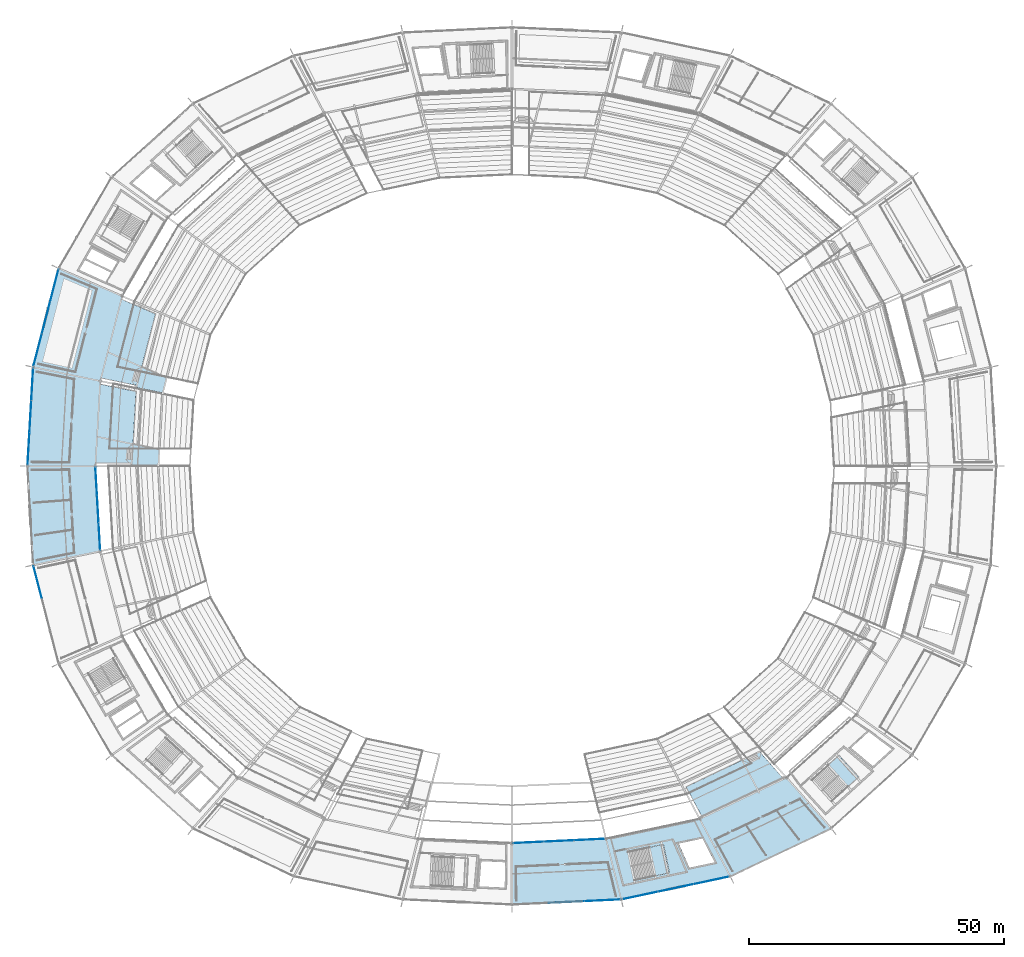
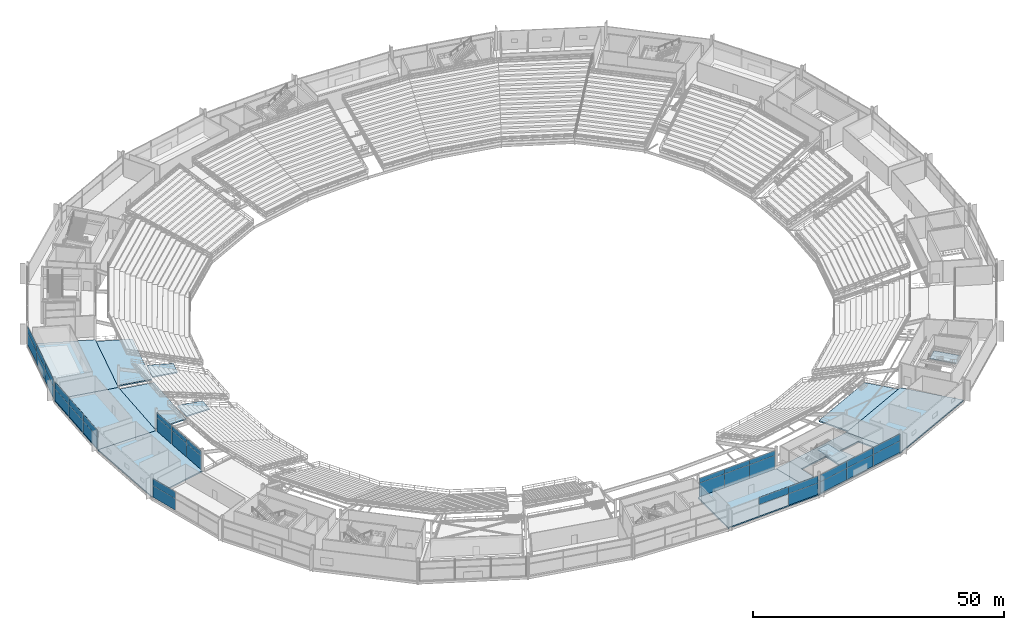
# One storey, part 121 of 186: 35 plates, 13 slabs, 9 elements without a shape of their own.
"""IFC4 building model written with IfcOpenShell, lengths in metres."""

from ifc_helpers import new_model, si_unit, direction, frame, origin, origin_2d, place, context, subcontext, project, spatial, polyline, rectangle, outline, extrude, material, layer, layer_set, type_object, element, aggregate, save


model = new_model("IFC4")

# Units and contexts
model_context = context("Model", 3, precision=1e-05, world=origin(), true_north=direction((0.0, 1.0)))
body_context = subcontext(model_context, "Body", "Model", "MODEL_VIEW")
ifc_project = project(units=[si_unit("LENGTHUNIT", "METRE"), si_unit("AREAUNIT", "SQUARE_METRE"), si_unit("VOLUMEUNIT", "CUBIC_METRE"), si_unit("PLANEANGLEUNIT", "RADIAN"), si_unit("MASSUNIT", "GRAM", prefix="KILO")], contexts=[model_context])

# Site, building, storey
site_placement = place(None, origin())
site = spatial("IfcSite", under=ifc_project, at=site_placement, CompositionType="ELEMENT")
building_placement = place(site_placement, origin())
building = spatial("IfcBuilding", under=site, at=building_placement, Name="Kazemori Nagisa Stadium", CompositionType="ELEMENT")
storey_placement = place(building_placement, frame((0.0, 0.0, 20.39990234375)))
storey = spatial("IfcBuildingStorey", under=building, at=storey_placement, Name="L04", CompositionType="ELEMENT", Elevation=20.39990234375)

# Curtain wall, plates
ifc_material_1 = material(Name="Anodised aluminium 6063-T5", Category="aluminium")
ifc_layer_1 = layer(ifc_material_1, 0.179931640625, Name="Anodised aluminium 6063-T5", Category="aluminium")
ifc_layer_set_1 = layer_set([ifc_layer_1], Name="Anodised aluminium 6063-T5")
curtain_wall_type_1 = type_object("IfcCurtainWallType", Name="CW_L04B_81", PredefinedType="USERDEFINED", material=ifc_layer_set_1)
curtain_wall_1_placement = place(storey_placement, origin())
curtain_wall_1 = element("IfcCurtainWall", 1, at=curtain_wall_1_placement, inside=storey, type_object=curtain_wall_type_1, Name="Unitised curtain wall CW-L04B-81 L04", ObjectType="UNITISED CURTAIN WALL", PredefinedType="USERDEFINED")
ifc_material_2 = material(Name="Anodised aluminium spandrel sheet", Category="aluminium")
ifc_layer_2 = layer(ifc_material_2, 0.0439453125, Name="Anodised aluminium spandrel sheet", Category="aluminium")
ifc_layer_set_2 = layer_set([ifc_layer_2], Name="Anodised aluminium spandrel sheet")
plate_type_1 = type_object("IfcPlateType", Name="CWPanel_SPN_L04B_81", PredefinedType="CURTAIN_PANEL", material=ifc_layer_set_2)
plate_1_placement = place(storey_placement, frame((41.4716796875, 99.0234375, 3.352294921875), z_axis=(0.0, 0.0, 1.0), x_axis=(0.057601670941, -0.998339645364, 0.0)))
plate_1 = element("IfcPlate", 2, at=plate_1_placement, type_object=plate_type_1, Name="Curtain wall spandrel panel CW-L04B-81-S1", PredefinedType="CURTAIN_PANEL", context=body_context, shape_type="SweptSolid", body=[
    extrude(rectangle(XDim=5.349365234375, YDim=0.0439453125, at=origin_2d()), origin(), (0.0, 0.0, 1.0), 1.177734375),
])
plate_2_placement = place(storey_placement, frame((41.78125, 93.658935546875, 3.352294921875), z_axis=(0.0, 0.0, 1.0), x_axis=(0.057601670941, -0.998339645364, 0.0)))
plate_2 = element("IfcPlate", 3, at=plate_2_placement, type_object=plate_type_1, Name="Curtain wall spandrel panel CW-L04B-81-S2", PredefinedType="CURTAIN_PANEL", context=body_context, shape_type="SweptSolid", body=[
    extrude(rectangle(XDim=5.349365234375, YDim=0.0439453125, at=origin_2d()), origin(), (0.0, 0.0, 1.0), 1.177734375),
])
plate_3_placement = place(storey_placement, frame((42.0908203125, 88.294677734375, 3.352294921875), z_axis=(0.0, 0.0, 1.0), x_axis=(0.057601670941, -0.998339645364, 0.0)))
plate_3 = element("IfcPlate", 4, at=plate_3_placement, type_object=plate_type_1, Name="Curtain wall spandrel panel CW-L04B-81-S3", PredefinedType="CURTAIN_PANEL", context=body_context, shape_type="SweptSolid", body=[
    extrude(rectangle(XDim=5.349365234375, YDim=0.0439453125, at=origin_2d()), origin(), (0.0, 0.0, 1.0), 1.177734375),
])

ifc_layer_3 = layer(ifc_material_1, 0.179931640625, Name="Anodised aluminium 6063-T5", Category="aluminium")
ifc_layer_set_3 = layer_set([ifc_layer_3], Name="Anodised aluminium 6063-T5")
curtain_wall_type_2 = type_object("IfcCurtainWallType", Name="CW_L04B_90", PredefinedType="USERDEFINED", material=ifc_layer_set_3)
curtain_wall_2_placement = place(storey_placement, origin())
curtain_wall_2 = element("IfcCurtainWall", 5, at=curtain_wall_2_placement, inside=storey, type_object=curtain_wall_type_2, Name="Unitised curtain wall CW-L04B-90 L04", ObjectType="UNITISED CURTAIN WALL", PredefinedType="USERDEFINED")
ifc_layer_4 = layer(ifc_material_2, 0.0439453125, Name="Anodised aluminium spandrel sheet", Category="aluminium")
ifc_layer_set_4 = layer_set([ifc_layer_4], Name="Anodised aluminium spandrel sheet")
plate_type_2 = type_object("IfcPlateType", Name="CWPanel_SPN_L04B_90", PredefinedType="CURTAIN_PANEL", material=ifc_layer_set_4)
plate_4_placement = place(storey_placement, frame((126.267822265625, 28.194580078125, 3.352294921875), z_axis=(0.0, 0.0, 1.0), x_axis=(0.998884022476, 0.047230388971, 0.0)))
plate_4 = element("IfcPlate", 6, at=plate_4_placement, type_object=plate_type_2, Name="Curtain wall spandrel panel CW-L04B-90-S1", PredefinedType="CURTAIN_PANEL", context=body_context, shape_type="SweptSolid", body=[
    extrude(rectangle(XDim=5.9287109375, YDim=0.0439453125, at=origin_2d()), origin(), (0.0, 0.0, 1.0), 1.177734375),
])
plate_5_placement = place(storey_placement, frame((132.2138671875, 28.4755859375, 3.352294921875), z_axis=(0.0, 0.0, 1.0), x_axis=(0.998884022476, 0.047230388971, 0.0)))
plate_5 = element("IfcPlate", 7, at=plate_5_placement, type_object=plate_type_2, Name="Curtain wall spandrel panel CW-L04B-90-S2", PredefinedType="CURTAIN_PANEL", context=body_context, shape_type="SweptSolid", body=[
    extrude(rectangle(XDim=5.9287109375, YDim=0.0439453125, at=origin_2d()), origin(), (0.0, 0.0, 1.0), 1.177734375),
])
plate_6_placement = place(storey_placement, frame((138.16015625, 28.7568359375, 3.352294921875), z_axis=(0.0, 0.0, 1.0), x_axis=(0.998884022476, 0.047230388971, 0.0)))
plate_6 = element("IfcPlate", 8, at=plate_6_placement, type_object=plate_type_2, Name="Curtain wall spandrel panel CW-L04B-90-S3", PredefinedType="CURTAIN_PANEL", context=body_context, shape_type="SweptSolid", body=[
    extrude(rectangle(XDim=5.9287109375, YDim=0.0439453125, at=origin_2d()), origin(), (0.0, 0.0, 1.0), 1.177734375),
])

ifc_layer_5 = layer(ifc_material_1, 0.179931640625, Name="Anodised aluminium 6063-T5", Category="aluminium")
ifc_layer_set_5 = layer_set([ifc_layer_5], Name="Anodised aluminium 6063-T5")
curtain_wall_type_3 = type_object("IfcCurtainWallType", Name="CW_L04R3_105", PredefinedType="USERDEFINED", material=ifc_layer_set_5)
curtain_wall_3_placement = place(storey_placement, origin())
curtain_wall_3 = element("IfcCurtainWall", 9, at=curtain_wall_3_placement, inside=storey, type_object=curtain_wall_type_3, Name="Unitised curtain wall CW-L04R3-105 L04", ObjectType="UNITISED CURTAIN WALL", PredefinedType="USERDEFINED")
ifc_layer_6 = layer(ifc_material_2, 0.0458984375, Name="Anodised aluminium spandrel sheet", Category="aluminium")
ifc_layer_set_6 = layer_set([ifc_layer_6], Name="Anodised aluminium spandrel sheet")
plate_type_3 = type_object("IfcPlateType", Name="CWPanel_SPN_L04R3_105", PredefinedType="CURTAIN_PANEL", material=ifc_layer_set_6)
plate_7_placement = place(storey_placement, frame((133.7138671875, 16.506591796875, 2.80859375), z_axis=(0.0, 0.0, 1.0), x_axis=(0.998884022476, 0.047230388971, 0.0)))
plate_7 = element("IfcPlate", 10, at=plate_7_placement, type_object=plate_type_3, Name="Curtain wall spandrel panel CW-L04R3-105-S2", PredefinedType="CURTAIN_PANEL", context=body_context, shape_type="SweptSolid", body=[
    extrude(rectangle(XDim=6.956787109375, YDim=0.0458984375, at=origin_2d()), origin(), (0.0, 0.0, 1.0), 1.721435546875),
])
plate_8_placement = place(storey_placement, frame((140.6865234375, 16.836181640625, 2.80859375), z_axis=(0.0, 0.0, 1.0), x_axis=(0.998884022476, 0.047230388971, 0.0)))
plate_8 = element("IfcPlate", 11, at=plate_8_placement, type_object=plate_type_3, Name="Curtain wall spandrel panel CW-L04R3-105-S3", PredefinedType="CURTAIN_PANEL", context=body_context, shape_type="SweptSolid", body=[
    extrude(rectangle(XDim=6.956787109375, YDim=0.0458984375, at=origin_2d()), origin(), (0.0, 0.0, 1.0), 1.721435546875),
])

ifc_layer_7 = layer(ifc_material_1, 0.179931640625, Name="Anodised aluminium 6063-T5", Category="aluminium")
ifc_layer_set_7 = layer_set([ifc_layer_7], Name="Anodised aluminium 6063-T5")
curtain_wall_type_4 = type_object("IfcCurtainWallType", Name="CW_L04R3_107", PredefinedType="USERDEFINED", material=ifc_layer_set_7)
curtain_wall_4_placement = place(storey_placement, origin())
curtain_wall_4 = element("IfcCurtainWall", 12, at=curtain_wall_4_placement, inside=storey, type_object=curtain_wall_type_4, Name="Unitised curtain wall CW-L04R3-107 L04", ObjectType="UNITISED CURTAIN WALL", PredefinedType="USERDEFINED")
ifc_layer_8 = layer(ifc_material_2, 0.0458984375, Name="Anodised aluminium spandrel sheet", Category="aluminium")
ifc_layer_set_8 = layer_set([ifc_layer_8], Name="Anodised aluminium spandrel sheet")
plate_type_4 = type_object("IfcPlateType", Name="CWPanel_SPN_L04R3_107", PredefinedType="CURTAIN_PANEL", material=ifc_layer_set_8)
plate_9_placement = place(storey_placement, frame((148.15673828125, 17.802001953125, 2.80859375), z_axis=(0.0, 0.0, 1.0), x_axis=(0.978344955407, 0.206981033502, 0.0)))
plate_9 = element("IfcPlate", 13, at=plate_9_placement, type_object=plate_type_4, Name="Curtain wall spandrel panel CW-L04R3-107-S1", PredefinedType="CURTAIN_PANEL", context=body_context, shape_type="SweptSolid", body=[
    extrude(rectangle(XDim=7.08935546875, YDim=0.0458984375, at=origin_2d()), origin(), (0.0, 0.0, 1.0), 1.721435546875),
])
plate_10_placement = place(storey_placement, frame((155.1162109375, 19.2744140625, 2.80859375), z_axis=(0.0, 0.0, 1.0), x_axis=(0.978344955407, 0.206981033502, 0.0)))
plate_10 = element("IfcPlate", 14, at=plate_10_placement, type_object=plate_type_4, Name="Curtain wall spandrel panel CW-L04R3-107-S2", PredefinedType="CURTAIN_PANEL", context=body_context, shape_type="SweptSolid", body=[
    extrude(rectangle(XDim=7.08935546875, YDim=0.0458984375, at=origin_2d()), origin(), (0.0, 0.0, 1.0), 1.721435546875),
])
plate_11_placement = place(storey_placement, frame((162.07568359375, 20.746826171875, 2.80859375), z_axis=(0.0, 0.0, 1.0), x_axis=(0.978344955407, 0.206981033502, 0.0)))
plate_11 = element("IfcPlate", 15, at=plate_11_placement, type_object=plate_type_4, Name="Curtain wall spandrel panel CW-L04R3-107-S3", PredefinedType="CURTAIN_PANEL", context=body_context, shape_type="SweptSolid", body=[
    extrude(rectangle(XDim=7.08935546875, YDim=0.0458984375, at=origin_2d()), origin(), (0.0, 0.0, 1.0), 1.721435546875),
])

ifc_layer_9 = layer(ifc_material_1, 0.179931640625, Name="Anodised aluminium 6063-T5", Category="aluminium")
ifc_layer_set_9 = layer_set([ifc_layer_9], Name="Anodised aluminium 6063-T5")
curtain_wall_type_5 = type_object("IfcCurtainWallType", Name="CW_L04R3_95", PredefinedType="USERDEFINED", material=ifc_layer_set_9)
curtain_wall_5_placement = place(storey_placement, origin())
curtain_wall_5 = element("IfcCurtainWall", 16, at=curtain_wall_5_placement, inside=storey, type_object=curtain_wall_type_5, Name="Unitised curtain wall CW-L04R3-95 L04", ObjectType="UNITISED CURTAIN WALL", PredefinedType="USERDEFINED")
ifc_layer_10 = layer(ifc_material_2, 0.0458984375, Name="Anodised aluminium spandrel sheet", Category="aluminium")
ifc_layer_set_10 = layer_set([ifc_layer_10], Name="Anodised aluminium spandrel sheet")
plate_type_5 = type_object("IfcPlateType", Name="CWPanel_SPN_L04R3_95", PredefinedType="CURTAIN_PANEL", material=ifc_layer_set_10)
plate_12_placement = place(storey_placement, frame((28.9228515625, 117.9951171875, 2.80859375), z_axis=(0.0, 0.0, 1.0), x_axis=(-0.057601670941, -0.998339645364, 0.0)))
plate_12 = element("IfcPlate", 17, at=plate_12_placement, type_object=plate_type_5, Name="Curtain wall spandrel panel CW-L04R3-95-S1", PredefinedType="CURTAIN_PANEL", context=body_context, shape_type="SweptSolid", body=[
    extrude(rectangle(XDim=6.28271484375, YDim=0.0458984375, at=origin_2d()), origin(), (0.0, 0.0, 1.0), 1.721435546875),
])
plate_13_placement = place(storey_placement, frame((28.5595703125, 111.69873046875, 2.80859375), z_axis=(0.0, 0.0, 1.0), x_axis=(-0.057601670941, -0.998339645364, 0.0)))
plate_13 = element("IfcPlate", 18, at=plate_13_placement, type_object=plate_type_5, Name="Curtain wall spandrel panel CW-L04R3-95-S2", PredefinedType="CURTAIN_PANEL", context=body_context, shape_type="SweptSolid", body=[
    extrude(rectangle(XDim=6.28271484375, YDim=0.0458984375, at=origin_2d()), origin(), (0.0, 0.0, 1.0), 1.721435546875),
])
plate_14_placement = place(storey_placement, frame((28.1962890625, 105.402587890625, 2.80859375), z_axis=(0.0, 0.0, 1.0), x_axis=(-0.057601670941, -0.998339645364, 0.0)))
plate_14 = element("IfcPlate", 19, at=plate_14_placement, type_object=plate_type_5, Name="Curtain wall spandrel panel CW-L04R3-95-S3", PredefinedType="CURTAIN_PANEL", context=body_context, shape_type="SweptSolid", body=[
    extrude(rectangle(XDim=6.28271484375, YDim=0.0458984375, at=origin_2d()), origin(), (0.0, 0.0, 1.0), 1.721435546875),
])

ifc_layer_11 = layer(ifc_material_1, 0.179931640625, Name="Anodised aluminium 6063-T5", Category="aluminium")
ifc_layer_set_11 = layer_set([ifc_layer_11], Name="Anodised aluminium 6063-T5")
curtain_wall_type_6 = type_object("IfcCurtainWallType", Name="CW_L04R3_98", PredefinedType="USERDEFINED", material=ifc_layer_set_11)
curtain_wall_6_placement = place(storey_placement, origin())
curtain_wall_6 = element("IfcCurtainWall", 20, at=curtain_wall_6_placement, inside=storey, type_object=curtain_wall_type_6, Name="Unitised curtain wall CW-L04R3-98 L04", ObjectType="UNITISED CURTAIN WALL", PredefinedType="USERDEFINED")
ifc_layer_12 = layer(ifc_material_2, 0.0458984375, Name="Anodised aluminium spandrel sheet", Category="aluminium")
ifc_layer_set_12 = layer_set([ifc_layer_12], Name="Anodised aluminium spandrel sheet")
plate_type_6 = type_object("IfcPlateType", Name="CWPanel_SPN_L04R3_98", PredefinedType="CURTAIN_PANEL", material=ifc_layer_set_12)
plate_15_placement = place(storey_placement, frame((33.239990234375, 137.359619140625, 2.80859375), z_axis=(0.0, 0.0, 1.0), x_axis=(-0.249964642418, -0.968254965152, 0.0)))
plate_15 = element("IfcPlate", 21, at=plate_15_placement, type_object=plate_type_6, Name="Curtain wall spandrel panel CW-L04R3-98-S1", PredefinedType="CURTAIN_PANEL", context=body_context, shape_type="SweptSolid", body=[
    extrude(rectangle(XDim=6.468017578125, YDim=0.0458984375, at=origin_2d()), origin(), (0.0, 0.0, 1.0), 1.721435546875),
])
plate_16_placement = place(storey_placement, frame((31.6171875, 131.07373046875, 2.80859375), z_axis=(0.0, 0.0, 1.0), x_axis=(-0.249964642418, -0.968254965152, 0.0)))
plate_16 = element("IfcPlate", 22, at=plate_16_placement, type_object=plate_type_6, Name="Curtain wall spandrel panel CW-L04R3-98-S2", PredefinedType="CURTAIN_PANEL", context=body_context, shape_type="SweptSolid", body=[
    extrude(rectangle(XDim=6.468017578125, YDim=0.0458984375, at=origin_2d()), origin(), (0.0, 0.0, 1.0), 1.721435546875),
])
plate_17_placement = place(storey_placement, frame((29.994384765625, 124.78759765625, 2.80859375), z_axis=(0.0, 0.0, 1.0), x_axis=(-0.249964642418, -0.968254965152, 0.0)))
plate_17 = element("IfcPlate", 23, at=plate_17_placement, type_object=plate_type_6, Name="Curtain wall spandrel panel CW-L04R3-98-S3", PredefinedType="CURTAIN_PANEL", context=body_context, shape_type="SweptSolid", body=[
    extrude(rectangle(XDim=6.468017578125, YDim=0.0458984375, at=origin_2d()), origin(), (0.0, 0.0, 1.0), 1.721435546875),
])

# Curtain wall, plate
curtain_wall_7_placement = place(storey_placement, origin())
curtain_wall_7 = element("IfcCurtainWall", 24, at=curtain_wall_7_placement, inside=storey, type_object=curtain_wall_type_6, Name="Unitised curtain wall CW-L04R3-98 L04", ObjectType="UNITISED CURTAIN WALL", PredefinedType="USERDEFINED")
plate_18_placement = place(storey_placement, frame((29.994384765625, 79.21240234375, 2.80859375), z_axis=(0.0, 0.0, 1.0), x_axis=(0.249964642418, -0.968254965152, 0.0)))
plate_18 = element("IfcPlate", 25, at=plate_18_placement, type_object=plate_type_6, Name="Curtain wall spandrel panel CW-L04R3-98-S1", PredefinedType="CURTAIN_PANEL", context=body_context, shape_type="SweptSolid", body=[
    extrude(rectangle(XDim=6.468017578125, YDim=0.0458984375, at=origin_2d()), origin(), (0.0, 0.0, 1.0), 1.721435546875),
])

# Plate
ifc_material_3 = material(Name="Low-e laminated double glazing", Category="glass")
ifc_layer_13 = layer(ifc_material_3, 0.031005859375, Name="Low-e laminated double glazing", Category="glass")
ifc_layer_set_13 = layer_set([ifc_layer_13], Name="Low-e laminated double glazing")
plate_type_7 = type_object("IfcPlateType", Name="CWPanel_VIS_L04B_81", PredefinedType="CURTAIN_PANEL", material=ifc_layer_set_13)
plate_19_placement = place(storey_placement, frame((41.4716796875, 99.0234375, 0.0), z_axis=(0.0, 0.0, 1.0), x_axis=(0.057601670941, -0.998339645364, 0.0)))
plate_19 = element("IfcPlate", 26, at=plate_19_placement, type_object=plate_type_7, Name="Curtain wall vision panel CW-L04B-81-V1", PredefinedType="CURTAIN_PANEL", context=body_context, shape_type="SweptSolid", body=[
    extrude(rectangle(XDim=5.349365234375, YDim=0.031005859375, at=origin_2d()), origin(), (0.0, 0.0, 1.0), 3.352294921875),
])

plate_20_placement = place(storey_placement, frame((41.78125, 93.658935546875, 0.0), z_axis=(0.0, 0.0, 1.0), x_axis=(0.057601670941, -0.998339645364, 0.0)))
plate_20 = element("IfcPlate", 27, at=plate_20_placement, type_object=plate_type_7, Name="Curtain wall vision panel CW-L04B-81-V2", PredefinedType="CURTAIN_PANEL", context=body_context, shape_type="SweptSolid", body=[
    extrude(rectangle(XDim=5.349365234375, YDim=0.031005859375, at=origin_2d()), origin(), (0.0, 0.0, 1.0), 3.352294921875),
])

plate_21_placement = place(storey_placement, frame((42.0908203125, 88.294677734375, 0.0), z_axis=(0.0, 0.0, 1.0), x_axis=(0.057601670941, -0.998339645364, 0.0)))
plate_21 = element("IfcPlate", 28, at=plate_21_placement, type_object=plate_type_7, Name="Curtain wall vision panel CW-L04B-81-V3", PredefinedType="CURTAIN_PANEL", context=body_context, shape_type="SweptSolid", body=[
    extrude(rectangle(XDim=5.349365234375, YDim=0.031005859375, at=origin_2d()), origin(), (0.0, 0.0, 1.0), 3.352294921875),
])

aggregate(curtain_wall_1, [plate_19, plate_1, plate_20, plate_2, plate_21, plate_3])

ifc_layer_14 = layer(ifc_material_3, 0.031005859375, Name="Low-e laminated double glazing", Category="glass")
ifc_layer_set_14 = layer_set([ifc_layer_14], Name="Low-e laminated double glazing")
plate_type_8 = type_object("IfcPlateType", Name="CWPanel_VIS_L04B_90", PredefinedType="CURTAIN_PANEL", material=ifc_layer_set_14)
plate_22_placement = place(storey_placement, frame((126.267822265625, 28.194580078125, 0.0), z_axis=(0.0, 0.0, 1.0), x_axis=(0.998884022476, 0.047230388971, 0.0)))
plate_22 = element("IfcPlate", 29, at=plate_22_placement, type_object=plate_type_8, Name="Curtain wall vision panel CW-L04B-90-V1", PredefinedType="CURTAIN_PANEL", context=body_context, shape_type="SweptSolid", body=[
    extrude(rectangle(XDim=5.9287109375, YDim=0.031005859375, at=origin_2d()), origin(), (0.0, 0.0, 1.0), 3.352294921875),
])

plate_23_placement = place(storey_placement, frame((132.2138671875, 28.4755859375, 0.0), z_axis=(0.0, 0.0, 1.0), x_axis=(0.998884022476, 0.047230388971, 0.0)))
plate_23 = element("IfcPlate", 30, at=plate_23_placement, type_object=plate_type_8, Name="Curtain wall vision panel CW-L04B-90-V2", PredefinedType="CURTAIN_PANEL", context=body_context, shape_type="SweptSolid", body=[
    extrude(rectangle(XDim=5.9287109375, YDim=0.031005859375, at=origin_2d()), origin(), (0.0, 0.0, 1.0), 3.352294921875),
])

plate_24_placement = place(storey_placement, frame((138.16015625, 28.7568359375, 0.0), z_axis=(0.0, 0.0, 1.0), x_axis=(0.998884022476, 0.047230388971, 0.0)))
plate_24 = element("IfcPlate", 31, at=plate_24_placement, type_object=plate_type_8, Name="Curtain wall vision panel CW-L04B-90-V3", PredefinedType="CURTAIN_PANEL", context=body_context, shape_type="SweptSolid", body=[
    extrude(rectangle(XDim=5.9287109375, YDim=0.031005859375, at=origin_2d()), origin(), (0.0, 0.0, 1.0), 3.352294921875),
])

aggregate(curtain_wall_2, [plate_22, plate_4, plate_23, plate_5, plate_24, plate_6])

ifc_layer_15 = layer(ifc_material_3, 0.029052734375, Name="Low-e laminated double glazing", Category="glass")
ifc_layer_set_15 = layer_set([ifc_layer_15], Name="Low-e laminated double glazing")
plate_type_9 = type_object("IfcPlateType", Name="CWPanel_VIS_L04R3_105", PredefinedType="CURTAIN_PANEL", material=ifc_layer_set_15)
plate_25_placement = place(storey_placement, frame((140.6865234375, 16.836181640625, 0.0), z_axis=(0.0, 0.0, 1.0), x_axis=(0.998884022476, 0.047230388971, 0.0)))
plate_25 = element("IfcPlate", 32, at=plate_25_placement, type_object=plate_type_9, Name="Curtain wall vision panel CW-L04R3-105-V3", PredefinedType="CURTAIN_PANEL", context=body_context, shape_type="SweptSolid", body=[
    extrude(rectangle(XDim=6.956787109375, YDim=0.029052734375, at=origin_2d()), origin(), (0.0, 0.0, 1.0), 2.80859375),
])

aggregate(curtain_wall_3, [plate_7, plate_25, plate_8])

ifc_layer_16 = layer(ifc_material_3, 0.029052734375, Name="Low-e laminated double glazing", Category="glass")
ifc_layer_set_16 = layer_set([ifc_layer_16], Name="Low-e laminated double glazing")
plate_type_10 = type_object("IfcPlateType", Name="CWPanel_VIS_L04R3_107", PredefinedType="CURTAIN_PANEL", material=ifc_layer_set_16)
plate_26_placement = place(storey_placement, frame((148.15673828125, 17.802001953125, 0.0), z_axis=(0.0, 0.0, 1.0), x_axis=(0.978344955407, 0.206981033502, 0.0)))
plate_26 = element("IfcPlate", 33, at=plate_26_placement, type_object=plate_type_10, Name="Curtain wall vision panel CW-L04R3-107-V1", PredefinedType="CURTAIN_PANEL", context=body_context, shape_type="SweptSolid", body=[
    extrude(rectangle(XDim=7.08935546875, YDim=0.029052734375, at=origin_2d()), origin(), (0.0, 0.0, 1.0), 2.80859375),
])

plate_27_placement = place(storey_placement, frame((155.1162109375, 19.2744140625, 0.0), z_axis=(0.0, 0.0, 1.0), x_axis=(0.978344955407, 0.206981033502, 0.0)))
plate_27 = element("IfcPlate", 34, at=plate_27_placement, type_object=plate_type_10, Name="Curtain wall vision panel CW-L04R3-107-V2", PredefinedType="CURTAIN_PANEL", context=body_context, shape_type="SweptSolid", body=[
    extrude(rectangle(XDim=7.08935546875, YDim=0.029052734375, at=origin_2d()), origin(), (0.0, 0.0, 1.0), 2.80859375),
])

plate_28_placement = place(storey_placement, frame((162.07568359375, 20.746826171875, 0.0), z_axis=(0.0, 0.0, 1.0), x_axis=(0.978344955407, 0.206981033502, 0.0)))
plate_28 = element("IfcPlate", 35, at=plate_28_placement, type_object=plate_type_10, Name="Curtain wall vision panel CW-L04R3-107-V3", PredefinedType="CURTAIN_PANEL", context=body_context, shape_type="SweptSolid", body=[
    extrude(rectangle(XDim=7.08935546875, YDim=0.029052734375, at=origin_2d()), origin(), (0.0, 0.0, 1.0), 2.80859375),
])

aggregate(curtain_wall_4, [plate_26, plate_9, plate_27, plate_10, plate_28, plate_11])

ifc_layer_17 = layer(ifc_material_3, 0.029052734375, Name="Low-e laminated double glazing", Category="glass")
ifc_layer_set_17 = layer_set([ifc_layer_17], Name="Low-e laminated double glazing")
plate_type_11 = type_object("IfcPlateType", Name="CWPanel_VIS_L04R3_95", PredefinedType="CURTAIN_PANEL", material=ifc_layer_set_17)
plate_29_placement = place(storey_placement, frame((28.9228515625, 117.9951171875, 0.0), z_axis=(0.0, 0.0, 1.0), x_axis=(-0.057601670941, -0.998339645364, 0.0)))
plate_29 = element("IfcPlate", 36, at=plate_29_placement, type_object=plate_type_11, Name="Curtain wall vision panel CW-L04R3-95-V1", PredefinedType="CURTAIN_PANEL", context=body_context, shape_type="SweptSolid", body=[
    extrude(rectangle(XDim=6.28271484375, YDim=0.029052734375, at=origin_2d()), origin(), (0.0, 0.0, 1.0), 2.80859375),
])

plate_30_placement = place(storey_placement, frame((28.5595703125, 111.69873046875, 0.0), z_axis=(0.0, 0.0, 1.0), x_axis=(-0.057601670941, -0.998339645364, 0.0)))
plate_30 = element("IfcPlate", 37, at=plate_30_placement, type_object=plate_type_11, Name="Curtain wall vision panel CW-L04R3-95-V2", PredefinedType="CURTAIN_PANEL", context=body_context, shape_type="SweptSolid", body=[
    extrude(rectangle(XDim=6.28271484375, YDim=0.029052734375, at=origin_2d()), origin(), (0.0, 0.0, 1.0), 2.80859375),
])

plate_31_placement = place(storey_placement, frame((28.1962890625, 105.402587890625, 0.0), z_axis=(0.0, 0.0, 1.0), x_axis=(-0.057601670941, -0.998339645364, 0.0)))
plate_31 = element("IfcPlate", 38, at=plate_31_placement, type_object=plate_type_11, Name="Curtain wall vision panel CW-L04R3-95-V3", PredefinedType="CURTAIN_PANEL", context=body_context, shape_type="SweptSolid", body=[
    extrude(rectangle(XDim=6.28271484375, YDim=0.029052734375, at=origin_2d()), origin(), (0.0, 0.0, 1.0), 2.80859375),
])

aggregate(curtain_wall_5, [plate_29, plate_12, plate_30, plate_13, plate_31, plate_14])

ifc_layer_18 = layer(ifc_material_3, 0.029052734375, Name="Low-e laminated double glazing", Category="glass")
ifc_layer_set_18 = layer_set([ifc_layer_18], Name="Low-e laminated double glazing")
plate_type_12 = type_object("IfcPlateType", Name="CWPanel_VIS_L04R3_98", PredefinedType="CURTAIN_PANEL", material=ifc_layer_set_18)
plate_32_placement = place(storey_placement, frame((33.239990234375, 137.359619140625, 0.0), z_axis=(0.0, 0.0, 1.0), x_axis=(-0.249964642418, -0.968254965152, 0.0)))
plate_32 = element("IfcPlate", 39, at=plate_32_placement, type_object=plate_type_12, Name="Curtain wall vision panel CW-L04R3-98-V1", PredefinedType="CURTAIN_PANEL", context=body_context, shape_type="SweptSolid", body=[
    extrude(rectangle(XDim=6.468017578125, YDim=0.029052734375, at=origin_2d()), origin(), (0.0, 0.0, 1.0), 2.80859375),
])

plate_33_placement = place(storey_placement, frame((31.6171875, 131.07373046875, 0.0), z_axis=(0.0, 0.0, 1.0), x_axis=(-0.249964642418, -0.968254965152, 0.0)))
plate_33 = element("IfcPlate", 40, at=plate_33_placement, type_object=plate_type_12, Name="Curtain wall vision panel CW-L04R3-98-V2", PredefinedType="CURTAIN_PANEL", context=body_context, shape_type="SweptSolid", body=[
    extrude(rectangle(XDim=6.468017578125, YDim=0.029052734375, at=origin_2d()), origin(), (0.0, 0.0, 1.0), 2.80859375),
])

plate_34_placement = place(storey_placement, frame((29.994384765625, 124.78759765625, 0.0), z_axis=(0.0, 0.0, 1.0), x_axis=(-0.249964642418, -0.968254965152, 0.0)))
plate_34 = element("IfcPlate", 41, at=plate_34_placement, type_object=plate_type_12, Name="Curtain wall vision panel CW-L04R3-98-V3", PredefinedType="CURTAIN_PANEL", context=body_context, shape_type="SweptSolid", body=[
    extrude(rectangle(XDim=6.468017578125, YDim=0.029052734375, at=origin_2d()), origin(), (0.0, 0.0, 1.0), 2.80859375),
])

aggregate(curtain_wall_6, [plate_32, plate_15, plate_33, plate_16, plate_34, plate_17])

plate_35_placement = place(storey_placement, frame((29.994384765625, 79.21240234375, 0.0), z_axis=(0.0, 0.0, 1.0), x_axis=(0.249964642418, -0.968254965152, 0.0)))
plate_35 = element("IfcPlate", 42, at=plate_35_placement, type_object=plate_type_12, Name="Curtain wall vision panel CW-L04R3-98-V1", PredefinedType="CURTAIN_PANEL", context=body_context, shape_type="SweptSolid", body=[
    extrude(rectangle(XDim=6.468017578125, YDim=0.029052734375, at=origin_2d()), origin(), (0.0, 0.0, 1.0), 2.80859375),
])

aggregate(curtain_wall_7, [plate_35, plate_18])

# Slabs
ifc_material_4 = material(Name="Concrete C36/45 (Fc36)", Category="concrete")
ifc_layer_19 = layer(ifc_material_4, 0.280029296875, Name="Concrete C36/45 (Fc36)", Category="concrete")
ifc_layer_set_19 = layer_set([ifc_layer_19], Name="Concrete C36/45 (Fc36)")
slab_type_1 = type_object("IfcSlabType", Name="Slab_SL-CONC-280", PredefinedType="FLOOR", material=ifc_layer_set_19)
slab_1_placement = place(storey_placement, frame((0.0, 0.0, 0.60009765625)))
element("IfcSlab", 43, at=slab_1_placement, inside=storey, type_object=slab_type_1, Name="Vomitory portal upper bay 13", PredefinedType="FLOOR", context=body_context, shape_type="SweptSolid", body=[
    extrude(outline(polyline([(55.279296875, 119.30712890625), (54.51708984375, 116.35400390625), (49.353515625, 117.4208984375), (50.390625, 121.4384765625), (55.279296875, 119.30712890625)])), origin(), (0.0, 0.0, 1.0), 0.280029296875),
])
slab_2_placement = place(storey_placement, frame((0.0, 0.0, 0.60009765625)))
element("IfcSlab", 44, at=slab_2_placement, inside=storey, type_object=slab_type_1, Name="Vomitory portal upper bay 14", PredefinedType="FLOOR", context=body_context, shape_type="SweptSolid", body=[
    extrude(outline(polyline([(53.837158203125, 105.24462890625), (53.66162109375, 102.19970703125), (48.4365234375, 102.19970703125), (48.673828125, 106.3115234375), (53.837158203125, 105.24462890625)])), origin(), (0.0, 0.0, 1.0), 0.280029296875),
])

# Stair, slab
stair_type = type_object("IfcStairType", Name="Stair_CORE_32", PredefinedType="TWO_STRAIGHT_RUN_STAIR", material=ifc_material_4)
stair_1_placement = place(storey_placement, origin())
stair_1 = element("IfcStair", 45, at=stair_1_placement, inside=storey, type_object=stair_type, Name="Exit stair ST06 L04", PredefinedType="TWO_STRAIGHT_RUN_STAIR")
ifc_layer_20 = layer(ifc_material_4, 0.199951171875, Name="Concrete C36/45 (Fc36)", Category="concrete")
ifc_layer_set_20 = layer_set([ifc_layer_20], Name="Concrete C36/45 (Fc36)")
slab_type_2 = type_object("IfcSlabType", Name="Slab_SL-LND-200", PredefinedType="LANDING", material=ifc_layer_set_20)
slab_3_placement = place(storey_placement, frame((0.0, 0.0, 2.52001953125)))
slab_3 = element("IfcSlab", 46, at=slab_3_placement, type_object=slab_type_2, Name="Exit stair ST06 L04 mid-landing", PredefinedType="LANDING", context=body_context, shape_type="SweptSolid", body=[
    extrude(outline(polyline([(149.929931640625, 27.231689453125), (152.71826171875, 27.82177734375), (153.89794921875, 22.2451171875), (151.10986328125, 21.6552734375), (149.929931640625, 27.231689453125)])), origin(), (0.0, 0.0, 1.0), 0.2001953125),
])
aggregate(stair_1, [slab_3])

stair_2_placement = place(storey_placement, origin())
stair_2 = element("IfcStair", 47, at=stair_2_placement, inside=storey, type_object=stair_type, Name="Exit stair ST04 L04", PredefinedType="TWO_STRAIGHT_RUN_STAIR")
slab_4_placement = place(storey_placement, frame((0.0, 0.0, 2.52001953125)))
slab_4 = element("IfcSlab", 48, at=slab_4_placement, type_object=slab_type_2, Name="Exit stair ST04 L04 mid-landing", PredefinedType="LANDING", context=body_context, shape_type="SweptSolid", body=[
    extrude(outline(polyline([(185.02587890625, 43.369384765625), (187.138671875, 45.2822265625), (190.964111328125, 41.056396484375), (188.851318359375, 39.143798828125), (185.02587890625, 43.369384765625)])), origin(), (0.0, 0.0, 1.0), 0.2001953125),
])
aggregate(stair_2, [slab_4])

# Slabs
ifc_layer_21 = layer(ifc_material_4, 0.300048828125, Name="Concrete C36/45 (Fc36)", Category="concrete")
ifc_layer_set_21 = layer_set([ifc_layer_21], Name="Concrete C36/45 (Fc36)")
slab_type_3 = type_object("IfcSlabType", Name="Slab_SL-UPPER-300", PredefinedType="FLOOR", material=ifc_layer_set_21)
slab_5_placement = place(storey_placement, frame((0.0, 0.0, -0.2998046875)))
element("IfcSlab", 49, at=slab_5_placement, inside=storey, type_object=slab_type_3, Name="Concourse floor slab L04 bay 13", PredefinedType="FLOOR", context=body_context, shape_type="SweptSolid", body=[
    extrude(outline(polyline([(46.55908203125, 135.32470703125), (42.262451171875, 118.68212890625), (29.119140625, 121.397705078125), (34.114990234375, 140.74951171875), (46.55908203125, 135.32470703125)])), origin(), (0.0, 0.0, 1.0), 0.2998046875),
])
slab_6_placement = place(storey_placement, frame((0.0, 0.0, -0.2998046875)))
element("IfcSlab", 50, at=slab_6_placement, inside=storey, type_object=slab_type_3, Name="Upper vomitory concourse slab L04 bay 13", PredefinedType="FLOOR", context=body_context, shape_type="SweptSolid", body=[
    extrude(outline(polyline([(53.075439453125, 131.83740234375), (49.45361328125, 117.80810546875), (42.41259765625, 119.262939453125), (46.408935546875, 134.74365234375), (53.075439453125, 131.83740234375)])), origin(), (0.0, 0.0, 1.0), 0.2998046875),
])
slab_7_placement = place(storey_placement, frame((0.0, 0.0, -0.2998046875)))
element("IfcSlab", 51, at=slab_7_placement, inside=storey, type_object=slab_type_3, Name="Concourse floor slab L04 bay 14", PredefinedType="FLOOR", context=body_context, shape_type="SweptSolid", body=[
    extrude(outline(polyline([(42.262451171875, 118.68212890625), (41.300048828125, 102.0), (28.0, 102.0), (29.119140625, 121.397705078125), (42.262451171875, 118.68212890625)])), origin(), (0.0, 0.0, 1.0), 0.2998046875),
])
slab_8_placement = place(storey_placement, frame((0.0, 0.0, -0.2998046875)))
element("IfcSlab", 52, at=slab_8_placement, inside=storey, type_object=slab_type_3, Name="Upper vomitory concourse slab L04 bay 14", PredefinedType="FLOOR", context=body_context, shape_type="SweptSolid", body=[
    extrude(outline(polyline([(49.26904296875, 116.628173828125), (48.45947265625, 102.59912109375), (41.33447265625, 102.59912109375), (42.22802734375, 118.0830078125), (49.26904296875, 116.628173828125)])), origin(), (0.0, 0.0, 1.0), 0.2998046875),
])
slab_9_placement = place(storey_placement, frame((0.0, 0.0, -0.2998046875)))
element("IfcSlab", 53, at=slab_9_placement, inside=storey, type_object=slab_type_3, Name="Concourse floor slab L04 bay 15", PredefinedType="FLOOR", context=body_context, shape_type="SweptSolid", body=[
    extrude(outline(polyline([(41.300048828125, 102.0), (42.262451171875, 85.31787109375), (29.119140625, 82.602294921875), (28.0, 102.0), (41.300048828125, 102.0)])), origin(), (0.0, 0.0, 1.0), 0.2998046875),
])
slab_10_placement = place(storey_placement, frame((0.0, 0.0, -0.2998046875)))
element("IfcSlab", 54, at=slab_10_placement, inside=storey, type_object=slab_type_3, Name="Concourse floor slab L04 bay 22", PredefinedType="FLOOR", context=body_context, shape_type="SweptSolid", body=[
    extrude(outline(polyline([(123.0, 28.0400390625), (141.427734375, 28.911376953125), (144.427734375, 17.01318359375), (123.0, 16.0), (123.0, 28.0400390625)])), origin(), (0.0, 0.0, 1.0), 0.2998046875),
])
slab_11_placement = place(storey_placement, frame((0.0, 0.0, -0.2998046875)))
element("IfcSlab", 55, at=slab_11_placement, inside=storey, type_object=slab_type_3, Name="Concourse floor slab L04 bay 23", PredefinedType="FLOOR", context=body_context, shape_type="SweptSolid", body=[
    extrude(outline(polyline([(141.427734375, 28.911376953125), (159.81201171875, 32.80078125), (165.8046875, 21.53564453125), (144.427734375, 17.01318359375), (141.427734375, 28.911376953125)]), holes=[polyline([(145.77685546875, 26.353271484375), (152.16064453125, 27.70361328125), (153.34033203125, 22.127197265625), (146.956787109375, 20.776611328125), (145.77685546875, 26.353271484375)]), polyline([(155.704833984375, 27.992919921875), (160.3427734375, 28.97412109375), (162.738525390625, 24.288818359375), (157.802978515625, 23.24462890625), (155.704833984375, 27.992919921875)])]), origin(), (0.0, 0.0, 1.0), 0.2998046875),
])
slab_12_placement = place(storey_placement, frame((0.0, 0.0, -0.2998046875)))
element("IfcSlab", 56, at=slab_12_placement, inside=storey, type_object=slab_type_3, Name="Concourse floor slab L04 bay 24", PredefinedType="FLOOR", context=body_context, shape_type="SweptSolid", body=[
    extrude(outline(polyline([(159.81201171875, 32.80078125), (176.834228515625, 40.88916015625), (185.597900390625, 30.94091796875), (165.8046875, 21.53564453125), (159.81201171875, 32.80078125)])), origin(), (0.0, 0.0, 1.0), 0.2998046875),
])
slab_13_placement = place(storey_placement, frame((0.0, 0.0, -0.2998046875)))
element("IfcSlab", 57, at=slab_13_placement, inside=storey, type_object=slab_type_3, Name="Upper vomitory concourse slab L04 bay 24", PredefinedType="FLOOR", context=body_context, shape_type="SweptSolid", body=[
    extrude(outline(polyline([(157.1435546875, 39.093017578125), (171.597412109375, 45.961181640625), (176.292236328125, 40.6318359375), (160.35400390625, 33.058349609375), (157.1435546875, 39.093017578125)])), origin(), (0.0, 0.0, 1.0), 0.2998046875),
])

save(model, "model.ifc")
